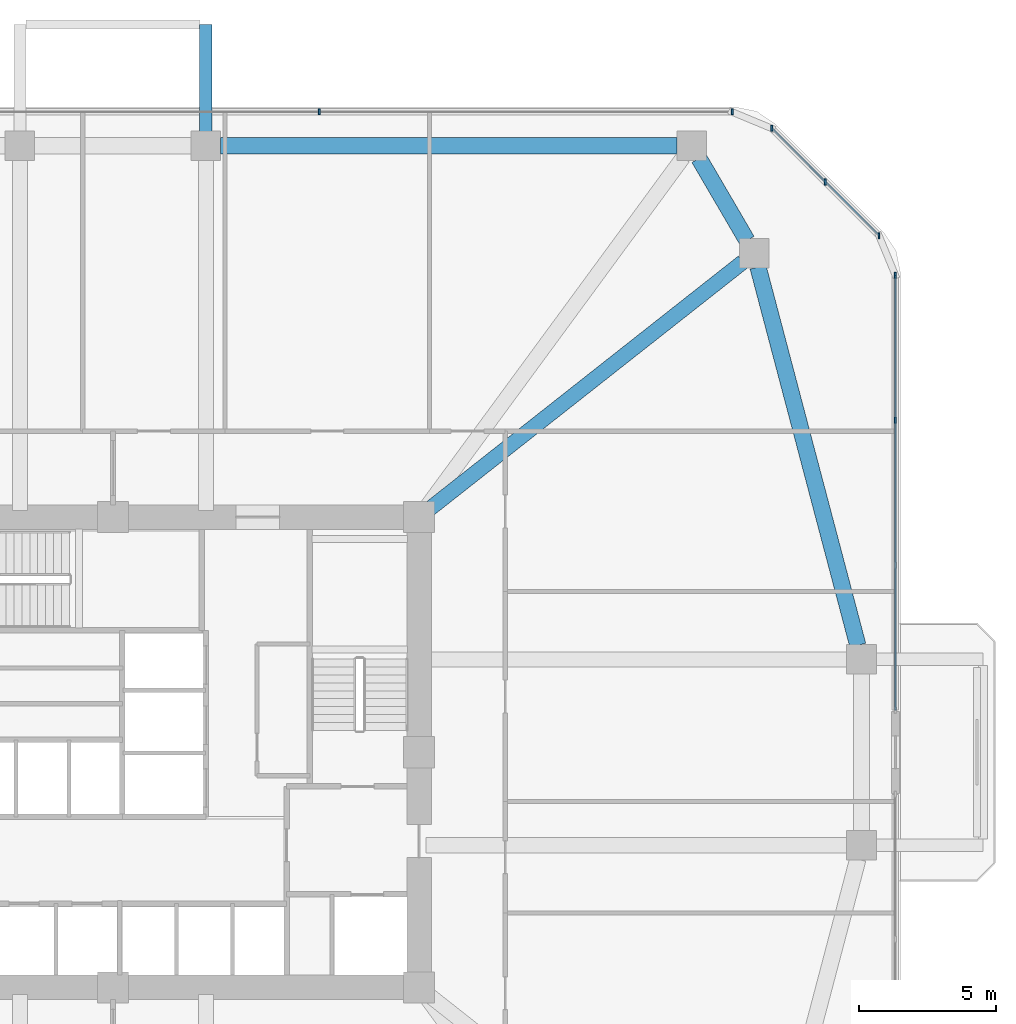
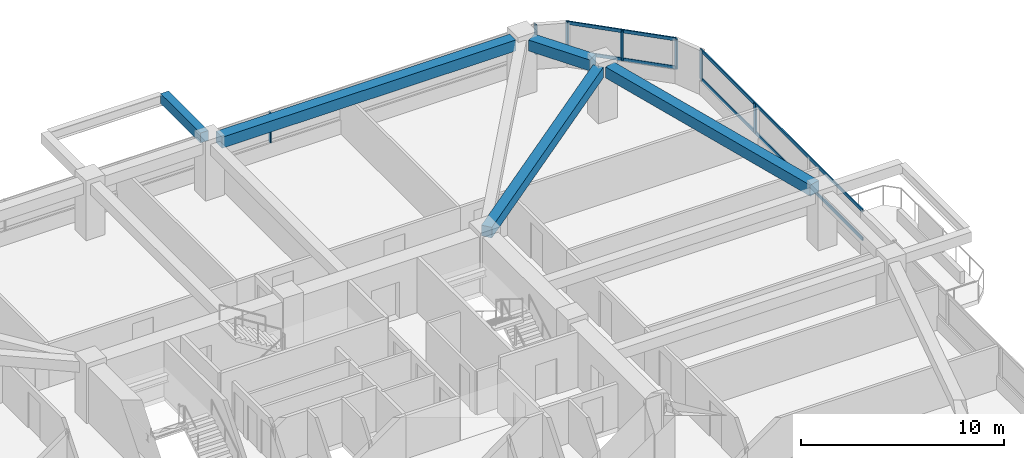
# One storey, part 8 of 15: 11 members, 5 beams, 3 elements without a shape of their own.
"""IFC4 building model written with IfcOpenShell, lengths in metres."""

import ifcopenshell
import ifcopenshell.guid

model = None  # the IFC model being written
_history = None  # IfcOwnerHistory: only IFC2X3 demands one
_inside = {}  # id of a spatial element -> (the spatial element, [elements in it])
_under = {}  # id of a project, library or spatial element -> (it, [spatial elements below it])
_declared = {}  # id of a project -> (the project, [libraries it declares])
_typed = {}  # id of a type object -> (the type object, [elements of that type])
_made_of = {}  # id of a material, layer set ... -> (it, [elements and type objects made of it])


def new_model(schema):
    """Start an empty IFC model of exactly this schema.

    Asked for "IFC4X3", IfcOpenShell would pick the latest addendum, in which some entities
    have other attributes; the version numbers below select the first issue.
    IFC2X3 requires an IfcOwnerHistory on every rooted entity: one is made here for all.
    """
    global model, _history
    if schema == "IFC4X3":
        model = ifcopenshell.file(schema_version=(4, 3, 0, 0))
    else:
        model = ifcopenshell.file(schema=schema)
    _inside.clear()
    _under.clear()
    _declared.clear()
    _typed.clear()
    _made_of.clear()
    _history = None
    if model.schema == "IFC2X3":
        org = make("IfcOrganization", Name="unknown")
        user = make(
            "IfcPersonAndOrganization",
            ThePerson=make("IfcPerson", FamilyName="unknown"),
            TheOrganization=org,
        )
        app = make(
            "IfcApplication",
            ApplicationDeveloper=org,
            Version="unknown",
            ApplicationFullName="unknown",
            ApplicationIdentifier="unknown",
        )
        _history = make(
            "IfcOwnerHistory",
            OwningUser=user,
            OwningApplication=app,
            ChangeAction="ADDED",
            CreationDate=0,
        )
    return model


def make(cls, **values):
    """One entity of the class cls with the attributes given. An attribute that is None is left unset."""
    return model.create_entity(
        cls, **{name: value for name, value in values.items() if value is not None}
    )


def rooted(cls, **values):
    """An entity with a GlobalId (a new one), such as an element, a storey or a relation."""
    return make(cls, GlobalId=ifcopenshell.guid.new(), OwnerHistory=_history, **values)


def si_unit(unit_type, name, prefix=None):
    """IfcSIUnit, for example si_unit("LENGTHUNIT", "METRE", prefix="MILLI")."""
    return make("IfcSIUnit", UnitType=unit_type, Prefix=prefix, Name=name)


def derived_unit(unit_type, elements):
    """IfcDerivedUnit: a product of units, each with its exponent."""
    return make(
        "IfcDerivedUnit",
        Elements=[
            make("IfcDerivedUnitElement", Unit=unit, Exponent=power)
            for unit, power in elements
        ],
        UnitType=unit_type,
    )


def assignment(units):
    """IfcUnitAssignment: the units of a project."""
    return None if units is None else make("IfcUnitAssignment", Units=units)


def point(xyz):
    """IfcCartesianPoint."""
    return None if xyz is None else make("IfcCartesianPoint", Coordinates=xyz)


def direction(xyz):
    """IfcDirection."""
    return None if xyz is None else make("IfcDirection", DirectionRatios=xyz)


def frame(location, z_axis=None, x_axis=None):
    """IfcAxis2Placement3D, a coordinate frame: its origin and axes. An axis left out is left unset."""
    return make(
        "IfcAxis2Placement3D",
        Location=point(location),
        Axis=direction(z_axis),
        RefDirection=direction(x_axis),
    )


def frame_2d(location, x_axis=None):
    """IfcAxis2Placement2D, a coordinate frame in the plane: its origin and x axis."""
    return make(
        "IfcAxis2Placement2D", Location=point(location), RefDirection=direction(x_axis)
    )


def origin():
    """The frame at (0, 0, 0) with its axes left unset."""
    return frame((0.0, 0.0, 0.0))


def origin_2d():
    """The frame at (0, 0) in the plane with its x axis left unset."""
    return frame_2d((0.0, 0.0))


def place(relative_to, where):
    """IfcLocalPlacement: puts the frame where relative to a parent placement (None: the world)."""
    return make(
        "IfcLocalPlacement", PlacementRelTo=relative_to, RelativePlacement=where
    )


def context(
    kind, dimensions, precision=None, world=None, true_north=None, identifier=None
):
    """IfcGeometricRepresentationContext, for example the 3D "Model" context."""
    return make(
        "IfcGeometricRepresentationContext",
        ContextIdentifier=identifier,
        ContextType=kind,
        CoordinateSpaceDimension=dimensions,
        Precision=precision,
        WorldCoordinateSystem=world,
        TrueNorth=true_north,
    )


def subcontext(parent, identifier, kind, view, scale=None):
    """IfcGeometricRepresentationSubContext, for example "Body" below "Model"."""
    return make(
        "IfcGeometricRepresentationSubContext",
        ContextIdentifier=identifier,
        ContextType=kind,
        ParentContext=parent,
        TargetScale=scale,
        TargetView=view,
    )


def project(units=None, contexts=None):
    """IfcProject with its units and contexts."""
    return rooted(
        "IfcProject",
        Name="project",
        RepresentationContexts=contexts,
        UnitsInContext=assignment(units),
    )


def spatial(cls, under=None, at=None, **own):
    """A site, building, storey or space (cls), placed at a placement, below another one or the project."""
    s = rooted(cls, ObjectPlacement=at, **own)
    if under is not None:
        _under.setdefault(under.id(), (under, []))[1].append(s)
    return s


def profile(cls, at=None, kind="AREA", **sizes):
    """A parametric profile (cls). Its sizes go by their IFC names, for example OverallWidth=200.0."""
    return make(cls, ProfileType=kind, Position=at, **sizes)


def rectangle(**sizes):
    """IfcRectangleProfileDef."""
    return profile("IfcRectangleProfileDef", **sizes)


def extrude(swept, where, along, depth):
    """IfcExtrudedAreaSolid: the profile swept, set in the frame where, extruded along a direction by depth."""
    return make(
        "IfcExtrudedAreaSolid",
        SweptArea=swept,
        Position=where,
        ExtrudedDirection=direction(along),
        Depth=depth,
    )


def shape(context_of_items, identifier, shape_type, items):
    """IfcShapeRepresentation: the items that make up one representation, for example the "Body"."""
    return make(
        "IfcShapeRepresentation",
        ContextOfItems=context_of_items,
        RepresentationIdentifier=identifier,
        RepresentationType=shape_type,
        Items=items,
    )


def material(Name=None, Category=None):
    """IfcMaterial."""
    return make("IfcMaterial", Name=Name, Category=Category)


def material_profile(
    of_material, cross_section, Name=None, Category=None, Priority=None
):
    """IfcMaterialProfile: a cross section and its material."""
    return make(
        "IfcMaterialProfile",
        Name=Name,
        Material=of_material,
        Profile=cross_section,
        Priority=Priority,
        Category=Category,
    )


def profile_set(profiles, Name=None, composite=None):
    """IfcMaterialProfileSet."""
    return make(
        "IfcMaterialProfileSet",
        Name=Name,
        MaterialProfiles=profiles,
        CompositeProfile=composite,
    )


def made_of(thing, what):
    """Note that an element or type object is made of a material, layer set ...; save() writes the relation."""
    if what is not None:
        _made_of.setdefault(what.id(), (what, []))[1].append(thing)
    return thing


def type_object(cls, material=None, **own):
    """A type object (cls), such as IfcWallType, which elements share."""
    return made_of(rooted(cls, **own), material)


def element(
    cls,
    number,
    at=None,
    inside=None,
    cuts=None,
    type_object=None,
    material=None,
    context=None,
    identifier="Body",
    shape_type=None,
    held_by="IfcProductDefinitionShape",
    body=None,
    shapes=None,
    **own,
):
    """One element of the class cls, such as IfcWall. Its Tag is "e" and its number.

    at: its placement. inside: the storey or other place that contains it. cuts: it is an
    opening in that element (IfcRelVoidsElement). A single representation is given by context,
    identifier, shape_type and body (its items); several are given by shapes. held_by: the class
    of the entity that holds the representations. save() writes the other relations.
    """
    e = rooted(cls, Tag="e%d" % number, ObjectPlacement=at, **own)
    if body is not None:
        shapes = [shape(context, identifier, shape_type, body)]
    if shapes is not None:
        e.Representation = make(held_by, Representations=shapes)
    if inside is not None:
        _inside.setdefault(inside.id(), (inside, []))[1].append(e)
    if cuts is not None:
        rooted(
            "IfcRelVoidsElement", RelatingBuildingElement=cuts, RelatedOpeningElement=e
        )
    if type_object is not None:
        _typed.setdefault(type_object.id(), (type_object, []))[1].append(e)
    return made_of(e, material)


def aggregate(whole, parts):
    """IfcRelAggregates: a whole, such as a stair, and the parts it consists of."""
    return rooted("IfcRelAggregates", RelatingObject=whole, RelatedObjects=parts)


def save(model, path):
    """Write the relations noted so far, then the file.

    IfcRelAggregates (storeys below a building ...), IfcRelContainedInSpatialStructure (elements
    in a storey), IfcRelDefinesByType, IfcRelAssociatesMaterial and IfcRelDeclares: one each for
    every whole, place, type object, material and project.
    """
    for whole, parts in _under.values():
        aggregate(whole, parts)
    for where, things in _inside.values():
        rooted(
            "IfcRelContainedInSpatialStructure",
            RelatedElements=things,
            RelatingStructure=where,
        )
    for kind, things in _typed.values():
        rooted("IfcRelDefinesByType", RelatedObjects=things, RelatingType=kind)
    for what, things in _made_of.values():
        rooted("IfcRelAssociatesMaterial", RelatedObjects=things, RelatingMaterial=what)
    for by, libraries in _declared.values():
        rooted("IfcRelDeclares", RelatingContext=by, RelatedDefinitions=libraries)
    model.write(path)


model = new_model("IFC4")

# Units and contexts
model_context = context("Model", 3, precision=1e-05, world=origin(), true_north=direction((0.0, 1.0)))
body_context = subcontext(model_context, "Body", "Model", "MODEL_VIEW")
ifc_project = project(units=[si_unit("LENGTHUNIT", "METRE"), si_unit("AREAUNIT", "SQUARE_METRE"), si_unit("VOLUMEUNIT", "CUBIC_METRE"), si_unit("PLANEANGLEUNIT", "RADIAN"), si_unit("MASSUNIT", "GRAM", prefix="KILO"), derived_unit("THERMALTRANSMITTANCEUNIT", [(si_unit("POWERUNIT", "WATT"), 1), (si_unit("LENGTHUNIT", "METRE"), -2), (si_unit("THERMODYNAMICTEMPERATUREUNIT", "KELVIN"), -1)])], contexts=[model_context])

# Site, building, storey
site_placement = place(None, origin())
site = spatial("IfcSite", under=ifc_project, at=site_placement, CompositionType="ELEMENT")
building_placement = place(site_placement, origin())
building = spatial("IfcBuilding", under=site, at=building_placement, Name="Koralith Skygarden Medical Center", CompositionType="ELEMENT")
storey_placement = place(building_placement, frame((0.0, 0.0, 41.93994140625)))
storey = spatial("IfcBuildingStorey", under=building, at=storey_placement, Name="L10", CompositionType="ELEMENT", Elevation=41.93994140625)

# Curtain wall, members
ifc_material_1 = material(Name="Clear Laminated Glass", Category="glass")
curtain_wall_type = type_object("IfcCurtainWallType", Name="CW-2 Zone 1 Hurricane Unitised Curtain Wall", PredefinedType="NOTDEFINED", material=ifc_material_1)
curtain_wall_1_placement = place(storey_placement, origin())
curtain_wall_1 = element("IfcCurtainWall", 1, at=curtain_wall_1_placement, inside=storey, type_object=curtain_wall_type, Name="Curtain Wall CW-L10-E-R", PredefinedType="NOTDEFINED")
ifc_material_2 = material(Name="Aluminium 6063-T6", Category="aluminium")
ifc_material_profile_1 = material_profile(ifc_material_2, rectangle(XDim=0.071044921875, YDim=0.219970703125, at=origin_2d()), Name="MUL71X220")
ifc_profile_set_1 = profile_set([ifc_material_profile_1], Name="Aluminium 6063-T6")
member_type_1 = type_object("IfcMemberType", Name="CW-2 Extruded Mullion 71x220", PredefinedType="MULLION", material=ifc_profile_set_1)
member_1_placement = place(storey_placement, frame((65.6201171875, 38.04296875, 0.85009765625), z_axis=(0.0, 0.0, 1.0), x_axis=(1.0, 0.0, 0.0)))
member_1 = element("IfcMember", 2, at=member_1_placement, type_object=member_type_1, Name="CW-L10-E-R Mullion 3", PredefinedType="MULLION", context=body_context, shape_type="SweptSolid", body=[
    extrude(rectangle(XDim=0.071044921875, YDim=0.219970703125, at=origin_2d()), origin(), (0.0, 0.0, 1.0), 1.800048828125),
])
member_2_placement = place(storey_placement, frame((65.6201171875, 43.344970703125, 0.85009765625), z_axis=(0.0, 0.0, 1.0), x_axis=(1.0, 0.0, 0.0)))
member_2 = element("IfcMember", 3, at=member_2_placement, type_object=member_type_1, Name="CW-L10-E-R Mullion 4", PredefinedType="MULLION", context=body_context, shape_type="SweptSolid", body=[
    extrude(rectangle(XDim=0.071044921875, YDim=0.219970703125, at=origin_2d()), origin(), (0.0, 0.0, 1.0), 1.800048828125),
])

curtain_wall_2_placement = place(storey_placement, origin())
curtain_wall_2 = element("IfcCurtainWall", 4, at=curtain_wall_2_placement, inside=storey, type_object=curtain_wall_type, Name="Curtain Wall CW-L10-NE", PredefinedType="NOTDEFINED")
member_3_placement = place(storey_placement, frame((65.01904296875, 44.7958984375, 0.85009765625), z_axis=(0.0, 0.0, 1.0), x_axis=(1.0, 0.0, 0.0)))
member_3 = element("IfcMember", 5, at=member_3_placement, type_object=member_type_1, Name="CW-L10-NE Mullion 1", PredefinedType="MULLION", context=body_context, shape_type="SweptSolid", body=[
    extrude(rectangle(XDim=0.071044921875, YDim=0.219970703125, at=origin_2d()), origin(), (0.0, 0.0, 1.0), 1.800048828125),
])
member_4_placement = place(storey_placement, frame((63.05810546875, 46.758056640625, 0.85009765625), z_axis=(0.0, 0.0, 1.0), x_axis=(1.0, 0.0, 0.0)))
member_4 = element("IfcMember", 6, at=member_4_placement, type_object=member_type_1, Name="CW-L10-NE Mullion 2", PredefinedType="MULLION", context=body_context, shape_type="SweptSolid", body=[
    extrude(rectangle(XDim=0.071044921875, YDim=0.219970703125, at=origin_2d()), origin(), (0.0, 0.0, 1.0), 1.800048828125),
])
member_5_placement = place(storey_placement, frame((61.095947265625, 48.718994140625, 0.85009765625), z_axis=(0.0, 0.0, 1.0), x_axis=(1.0, 0.0, 0.0)))
member_5 = element("IfcMember", 7, at=member_5_placement, type_object=member_type_1, Name="CW-L10-NE Mullion 3", PredefinedType="MULLION", context=body_context, shape_type="SweptSolid", body=[
    extrude(rectangle(XDim=0.071044921875, YDim=0.219970703125, at=origin_2d()), origin(), (0.0, 0.0, 1.0), 1.800048828125),
])

curtain_wall_3_placement = place(storey_placement, origin())
curtain_wall_3 = element("IfcCurtainWall", 8, at=curtain_wall_3_placement, inside=storey, type_object=curtain_wall_type, Name="Curtain Wall CW-L10-N", PredefinedType="NOTDEFINED")
member_6_placement = place(storey_placement, frame((59.64501953125, 49.320068359375, 0.85009765625), z_axis=(0.0, 0.0, 1.0), x_axis=(1.0, 0.0, 0.0)))
member_6 = element("IfcMember", 9, at=member_6_placement, type_object=member_type_1, Name="CW-L10-N Mullion 1", PredefinedType="MULLION", context=body_context, shape_type="SweptSolid", body=[
    extrude(rectangle(XDim=0.071044921875, YDim=0.219970703125, at=origin_2d()), origin(), (0.0, 0.0, 1.0), 1.800048828125),
])
member_7_placement = place(storey_placement, frame((44.548095703125, 49.320068359375, 0.85009765625), z_axis=(0.0, 0.0, 1.0), x_axis=(1.0, 0.0, 0.0)))
member_7 = element("IfcMember", 10, at=member_7_placement, type_object=member_type_1, Name="CW-L10-N Mullion 2", PredefinedType="MULLION", context=body_context, shape_type="SweptSolid", body=[
    extrude(rectangle(XDim=0.071044921875, YDim=0.219970703125, at=origin_2d()), origin(), (0.0, 0.0, 1.0), 1.800048828125),
])
aggregate(curtain_wall_3, [member_6, member_7])

# Member
ifc_material_profile_2 = material_profile(ifc_material_2, rectangle(XDim=0.06591796875, YDim=0.197998046875, at=origin_2d()), Name="TRN66X198")
ifc_profile_set_2 = profile_set([ifc_material_profile_2], Name="Aluminium 6063-T6")
member_type_2 = type_object("IfcMemberType", Name="CW-2 Thermal Transom 66x198", PredefinedType="USERDEFINED", material=ifc_profile_set_2)
member_8_placement = place(storey_placement, frame((65.6201171875, 27.43994140625, 0.900146484375), z_axis=(0.0, 1.0, 0.0), x_axis=(-1.0, 0.0, 0.0)))
member_8 = element("IfcMember", 11, at=member_8_placement, type_object=member_type_2, Name="CW-L10-E-R Transom 1", ObjectType="TRANSOM", PredefinedType="USERDEFINED", context=body_context, shape_type="SweptSolid", body=[
    extrude(rectangle(XDim=0.06591796875, YDim=0.197998046875, at=origin_2d()), origin(), (0.0, 0.0, 1.0), 15.905029296875),
])

member_9_placement = place(storey_placement, frame((65.6201171875, 27.43994140625, 2.60009765625), z_axis=(0.0, 1.0, 0.0), x_axis=(-1.0, 0.0, 0.0)))
member_9 = element("IfcMember", 12, at=member_9_placement, type_object=member_type_2, Name="CW-L10-E-R Transom 2", ObjectType="TRANSOM", PredefinedType="USERDEFINED", context=body_context, shape_type="SweptSolid", body=[
    extrude(rectangle(XDim=0.06591796875, YDim=0.197998046875, at=origin_2d()), origin(), (0.0, 0.0, 1.0), 15.905029296875),
])

aggregate(curtain_wall_1, [member_1, member_2, member_8, member_9])

member_10_placement = place(storey_placement, frame((65.01904296875, 44.7958984375, 0.900146484375), z_axis=(-0.707106781187, 0.707106781187, 0.0), x_axis=(-0.707106781187, -0.707106781187, 0.0)))
member_10 = element("IfcMember", 13, at=member_10_placement, type_object=member_type_2, Name="CW-L10-NE Transom 1", ObjectType="TRANSOM", PredefinedType="USERDEFINED", context=body_context, shape_type="SweptSolid", body=[
    extrude(rectangle(XDim=0.06591796875, YDim=0.197998046875, at=origin_2d()), origin(), (0.0, 0.0, 1.0), 5.548095703125),
])

member_11_placement = place(storey_placement, frame((65.01904296875, 44.7958984375, 2.60009765625), z_axis=(-0.707106781187, 0.707106781187, 0.0), x_axis=(-0.707106781187, -0.707106781187, 0.0)))
member_11 = element("IfcMember", 14, at=member_11_placement, type_object=member_type_2, Name="CW-L10-NE Transom 2", ObjectType="TRANSOM", PredefinedType="USERDEFINED", context=body_context, shape_type="SweptSolid", body=[
    extrude(rectangle(XDim=0.06591796875, YDim=0.197998046875, at=origin_2d()), origin(), (0.0, 0.0, 1.0), 5.548095703125),
])

aggregate(curtain_wall_2, [member_3, member_4, member_5, member_10, member_11])

# Beams
ifc_material_3 = material(Name="Concrete C45/55", Category="concrete")
ifc_material_profile_3 = material_profile(ifc_material_3, rectangle(XDim=0.449951171875, YDim=0.60009765625, at=origin_2d()), Name="RCB450X600")
ifc_profile_set_3 = profile_set([ifc_material_profile_3], Name="Concrete C45/55")
beam_type_1 = type_object("IfcBeamType", Name="Planted Balcony Cantilever Beam RCB450X600", PredefinedType="BEAM", material=ifc_profile_set_3)
beam_1_placement = place(storey_placement, frame((40.39990234375, 48.60009765625, 3.0400390625), z_axis=(0.0, 1.0, 0.0), x_axis=(-1.0, 0.0, 0.0)))
element("IfcBeam", 15, at=beam_1_placement, inside=storey, type_object=beam_type_1, Name="L11 N Balcony Cantilever Beam B", PredefinedType="BEAM", context=body_context, shape_type="SweptSolid", body=[
    extrude(rectangle(XDim=0.449951171875, YDim=0.60009765625, at=origin_2d()), origin(), (0.0, 0.0, 1.0), 3.919921875),
])
ifc_material_profile_4 = material_profile(ifc_material_3, rectangle(XDim=0.550048828125, YDim=0.639892578125, at=origin_2d()), Name="RCB550X640")
ifc_profile_set_4 = profile_set([ifc_material_profile_4], Name="Concrete C45/55")
beam_type_2 = type_object("IfcBeamType", Name="Radial Collector Beam RCB550X640", PredefinedType="BEAM", material=ifc_profile_set_4)
beam_2_placement = place(storey_placement, frame((48.39599609375, 34.655029296875, 3.0), z_axis=(0.785497250365, 0.618865146594, 0.0), x_axis=(-0.618865146594, 0.785497250365, 0.0)))
element("IfcBeam", 16, at=beam_2_placement, inside=storey, type_object=beam_type_2, Name="L10 Radial Collector Beam RB-10", PredefinedType="BEAM", context=body_context, shape_type="SweptSolid", body=[
    extrude(rectangle(XDim=0.550048828125, YDim=0.639892578125, at=origin_2d()), origin(), (0.0, 0.0, 1.0), 14.828857421875),
])
ifc_material_profile_5 = material_profile(ifc_material_3, rectangle(XDim=0.60009765625, YDim=0.659912109375, at=origin_2d()), Name="RCB600X660")
ifc_profile_set_5 = profile_set([ifc_material_profile_5], Name="Concrete C45/55")
beam_type_3 = type_object("IfcBeamType", Name="Zone 1 Spandrel Beam RCB600X660", PredefinedType="SPANDREL", material=ifc_profile_set_5)
beam_3_placement = place(storey_placement, frame((64.2451171875, 29.81201171875, 2.989990234375), z_axis=(-0.255088684842, 0.966917660851, 0.0), x_axis=(-0.966917660851, -0.255088684842, 0.0)))
element("IfcBeam", 17, at=beam_3_placement, inside=storey, type_object=beam_type_3, Name="L10 Perimeter Spandrel Beam SP-09", PredefinedType="SPANDREL", context=body_context, shape_type="SweptSolid", body=[
    extrude(rectangle(XDim=0.60009765625, YDim=0.659912109375, at=origin_2d()), origin(), (0.0, 0.0, 1.0), 14.309326171875),
])
beam_4_placement = place(storey_placement, frame((60.19189453125, 44.617919921875, 2.989990234375), z_axis=(-0.504608092658, 0.863348523381, 0.0), x_axis=(-0.863348523381, -0.504608092658, 0.0)))
element("IfcBeam", 18, at=beam_4_placement, inside=storey, type_object=beam_type_3, Name="L10 Perimeter Spandrel Beam SP-10", PredefinedType="SPANDREL", context=body_context, shape_type="SweptSolid", body=[
    extrude(rectangle(XDim=0.60009765625, YDim=0.659912109375, at=origin_2d()), origin(), (0.0, 0.0, 1.0), 3.479736328125),
])
beam_5_placement = place(storey_placement, frame((57.637939453125, 48.080078125, 2.989990234375), z_axis=(-1.0, 0.0, 0.0), x_axis=(0.0, -1.0, 0.0)))
element("IfcBeam", 19, at=beam_5_placement, inside=storey, type_object=beam_type_3, Name="L10 Perimeter Spandrel Beam SP-11", PredefinedType="SPANDREL", context=body_context, shape_type="SweptSolid", body=[
    extrude(rectangle(XDim=0.60009765625, YDim=0.659912109375, at=origin_2d()), origin(), (0.0, 0.0, 1.0), 16.7080078125),
])

save(model, "model.ifc")
